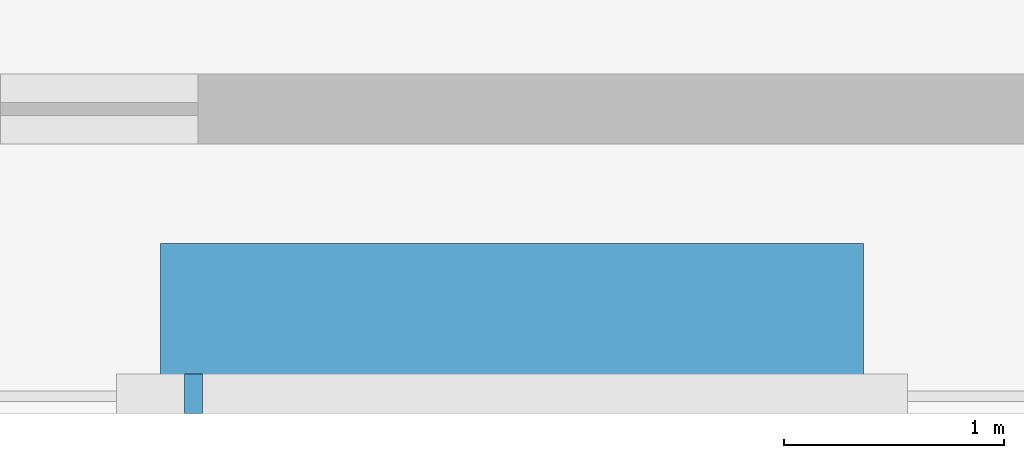
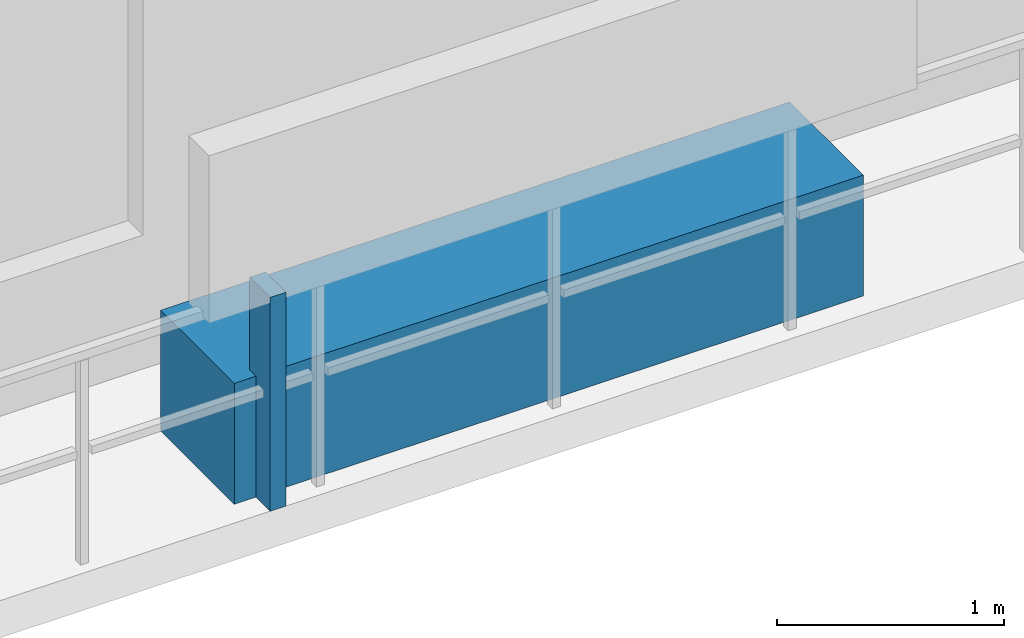
# One storey, part 28 of 33: 2 discrete accessories.
"""IFC4 building model written with IfcOpenShell, lengths in metres."""

from ifc_helpers import new_model, si_unit, direction, frame, origin, origin_2d, place, context, subcontext, project, spatial, rectangle, extrude, material, type_object, element, save


model = new_model("IFC4")

# Units and contexts
model_context = context("Model", 3, precision=1e-05, world=origin(), true_north=direction((0.0, 1.0)))
body_context = subcontext(model_context, "Body", "Model", "MODEL_VIEW")
ifc_project = project(units=[si_unit("LENGTHUNIT", "METRE"), si_unit("AREAUNIT", "SQUARE_METRE"), si_unit("VOLUMEUNIT", "CUBIC_METRE"), si_unit("PLANEANGLEUNIT", "RADIAN"), si_unit("MASSUNIT", "GRAM", prefix="KILO")], contexts=[model_context])

# Site, building, storey
site_placement = place(None, origin())
site = spatial("IfcSite", under=ifc_project, at=site_placement, CompositionType="ELEMENT")
building_placement = place(site_placement, origin())
building = spatial("IfcBuilding", under=site, at=building_placement, Name="Thornwick Lancets Civic Towers", CompositionType="ELEMENT")
storey_placement = place(building_placement, frame((0.0, 0.0, 163.5)))
storey = spatial("IfcBuildingStorey", under=building, at=storey_placement, Name="L43", CompositionType="ELEMENT", Elevation=163.5)

# Discrete accessories
ifc_material_1 = material(Name="Planted terracotta greenery planter", Category="masonry")
discrete_accessory_type_1 = type_object("IfcDiscreteAccessoryType", Name="ACC_PLANTER_BOX", PredefinedType="USERDEFINED", material=ifc_material_1)
discrete_accessory_1_placement = place(storey_placement, frame((25.5, 2.300048828125, 0.0), z_axis=(0.0, 0.0, 1.0), x_axis=(1.0, 0.0, 0.0)))
element("IfcDiscreteAccessory", 1, at=discrete_accessory_1_placement, inside=storey, type_object=discrete_accessory_type_1, Name="L43 Tower A Balcony Greenery Planter S", ObjectType="PLANTER", PredefinedType="USERDEFINED", context=body_context, shape_type="SweptSolid", body=[
    extrude(rectangle(XDim=3.199951171875, YDim=0.64990234375, at=origin_2d()), origin(), (0.0, 0.0, 1.0), 0.64990234375),
])
ifc_material_2 = material(Name="Stainless steel S355", Category="steel")
discrete_accessory_type_2 = type_object("IfcDiscreteAccessoryType", Name="ACC_SCREEN_BRACKET", PredefinedType="BRACKET", material=ifc_material_2)
discrete_accessory_2_placement = place(storey_placement, frame((24.050048828125, 1.93994140625, 0.0), z_axis=(0.0, 0.0, 1.0), x_axis=(1.0, 0.0, 0.0)))
element("IfcDiscreteAccessory", 2, at=discrete_accessory_2_placement, inside=storey, type_object=discrete_accessory_type_2, Name="L43 Tower A Balcony Screen Stanchion Bracket S-1", PredefinedType="BRACKET", context=body_context, shape_type="SweptSolid", body=[
    extrude(rectangle(XDim=0.080078125, YDim=0.179931640625, at=origin_2d()), origin(), (0.0, 0.0, 1.0), 1.14990234375),
])

save(model, "model.ifc")
